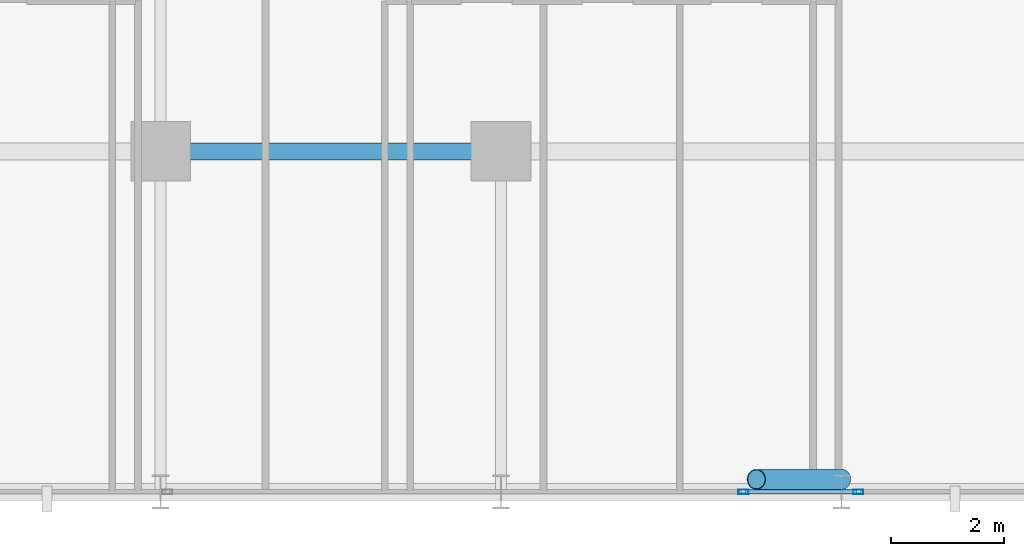
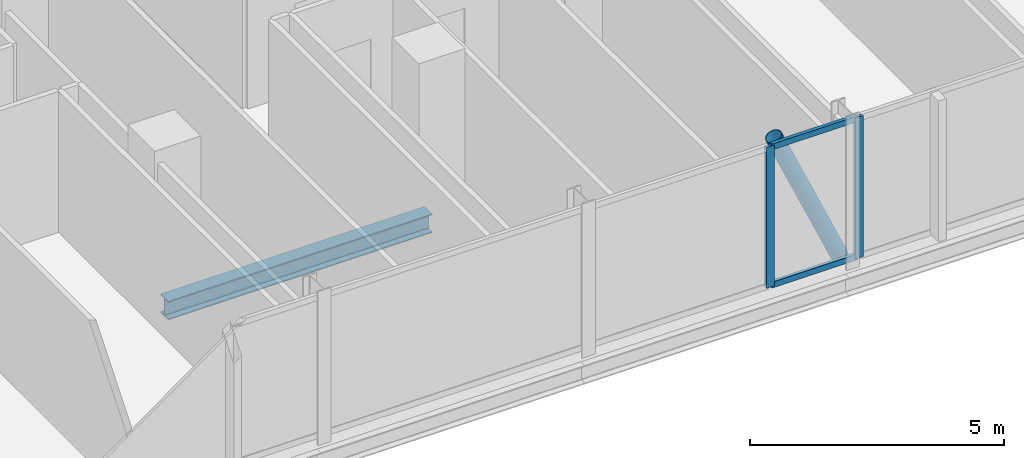
# One storey, part 8 of 29: 5 members, 1 beam, 2 elements without a shape of their own.
"""IFC4 building model written with IfcOpenShell, lengths in metres."""

from ifc_helpers import new_model, si_unit, direction, frame, origin, origin_2d, place, context, subcontext, project, spatial, hollow_rectangle, hollow_circle, i_section, extrude, material, layer, layer_set, material_profile, profile_set, type_object, element, aggregate, save


model = new_model("IFC4")

# Units and contexts
model_context = context("Model", 3, precision=1e-05, world=origin(), true_north=direction((0.0, 1.0)))
body_context = subcontext(model_context, "Body", "Model", "MODEL_VIEW")
ifc_project = project(units=[si_unit("LENGTHUNIT", "METRE"), si_unit("AREAUNIT", "SQUARE_METRE"), si_unit("VOLUMEUNIT", "CUBIC_METRE"), si_unit("PLANEANGLEUNIT", "RADIAN"), si_unit("MASSUNIT", "GRAM", prefix="KILO")], contexts=[model_context])

# Site, building, storey
site_placement = place(None, origin())
site = spatial("IfcSite", under=ifc_project, at=site_placement, CompositionType="ELEMENT")
building_placement = place(site_placement, origin())
building = spatial("IfcBuilding", under=site, at=building_placement, Name="Keshet Zoharim Tower", CompositionType="ELEMENT")
storey_placement = place(building_placement, frame((0.0, 0.0, 102.0)))
storey = spatial("IfcBuildingStorey", under=building, at=storey_placement, Name="L24", CompositionType="ELEMENT", Elevation=102.0)

# Beam
ifc_material_1 = material(Name="Steel S355", Category="steel")
ifc_material_profile_1 = material_profile(ifc_material_1, i_section(OverallWidth=0.300048828125, OverallDepth=0.449951171875, WebThickness=0.013916015625, FlangeThickness=0.02587890625, FilletRadius=0.027099609375, at=origin_2d()), Name="HEB450")
ifc_profile_set_1 = profile_set([ifc_material_profile_1], Name="Steel S355")
beam_type = type_object("IfcBeamType", Name="BM-WEB-HB450", PredefinedType="BEAM", material=ifc_profile_set_1)
beam_placement = place(storey_placement, frame((33.0, 6.699951171875, -0.5400390625), z_axis=(1.0, 0.0, 0.0), x_axis=(0.0, 1.0, 0.0)))
element("IfcBeam", 1, at=beam_placement, inside=storey, type_object=beam_type, Name="L24 Primary Girder X-007", PredefinedType="BEAM", context=body_context, shape_type="SweptSolid", body=[
    extrude(i_section(OverallWidth=0.300048828125, OverallDepth=0.449951171875, WebThickness=0.013916015625, FlangeThickness=0.02587890625, FilletRadius=0.027099609375, at=origin_2d()), origin(), (0.0, 0.0, 1.0), 6.0),
])

# Curtain wall, member
ifc_material_2 = material(Name="Aluminium 6063-T6", Category="aluminium")
ifc_layer = layer(ifc_material_2, 0.159912109375)
ifc_layer_set = layer_set([ifc_layer], Name="Aluminium 6063-T6")
curtain_wall_type = type_object("IfcCurtainWallType", Name="CW-SYS-03", PredefinedType="NOTDEFINED", material=ifc_layer_set)
curtain_wall_1_placement = place(storey_placement, origin())
curtain_wall_1 = element("IfcCurtainWall", 2, at=curtain_wall_1_placement, inside=storey, type_object=curtain_wall_type, Name="L24 Unitised Curtain Wall 03", PredefinedType="NOTDEFINED")
ifc_material_profile_2 = material_profile(ifc_material_2, hollow_rectangle(XDim=0.080078125, YDim=0.179931640625, WallThickness=0.00439453125, at=origin_2d()), Name="MUL-80x180")
ifc_profile_set_2 = profile_set([ifc_material_profile_2], Name="Aluminium 6063-T6")
member_type_1 = type_object("IfcMemberType", Name="CWM-M18", PredefinedType="MULLION", material=ifc_profile_set_2)
member_1_placement = place(storey_placement, frame((45.297607421875, 0.699951171875, 0.0), z_axis=(0.0, 0.0, 1.0), x_axis=(0.0, -1.0, 0.0)))
member_1 = element("IfcMember", 3, at=member_1_placement, type_object=member_type_1, Name="CW-03 mullion 2", PredefinedType="MULLION", context=body_context, shape_type="SweptSolid", body=[
    extrude(hollow_rectangle(XDim=0.080078125, YDim=0.179931640625, WallThickness=0.00439453125, at=origin_2d()), origin(), (0.0, 0.0, 1.0), 3.385009765625),
])
aggregate(curtain_wall_1, [member_1])

# Curtain wall, members
curtain_wall_2_placement = place(storey_placement, origin())
curtain_wall_2 = element("IfcCurtainWall", 4, at=curtain_wall_2_placement, inside=storey, type_object=curtain_wall_type, Name="L24 Unitised Curtain Wall 03 Part 2", PredefinedType="NOTDEFINED")
member_2_placement = place(storey_placement, frame((43.2724609375, 0.699951171875, 0.0), z_axis=(0.0, 0.0, 1.0), x_axis=(0.0, -1.0, 0.0)))
member_2 = element("IfcMember", 5, at=member_2_placement, type_object=member_type_1, Name="CW-03 mullion 2", PredefinedType="MULLION", context=body_context, shape_type="SweptSolid", body=[
    extrude(hollow_rectangle(XDim=0.080078125, YDim=0.179931640625, WallThickness=0.00439453125, at=origin_2d()), origin(), (0.0, 0.0, 1.0), 3.385009765625),
])
ifc_material_profile_3 = material_profile(ifc_material_2, hollow_rectangle(XDim=0.080078125, YDim=0.139892578125, WallThickness=0.00390625, at=origin_2d()), Name="TRN-80x140")
ifc_profile_set_3 = profile_set([ifc_material_profile_3], Name="Aluminium 6063-T6")
member_type_2 = type_object("IfcMemberType", Name="CWT-T14", PredefinedType="USERDEFINED", material=ifc_profile_set_3)
member_3_placement = place(storey_placement, frame((45.2626953125, 0.699951171875, 0.034912109375), z_axis=(-1.0, 0.0, 0.0), x_axis=(0.0, -1.0, 0.0)))
member_3 = element("IfcMember", 6, at=member_3_placement, type_object=member_type_2, Name="CW-03 transom 1.1", ObjectType="TRANSOM", PredefinedType="USERDEFINED", context=body_context, shape_type="SweptSolid", body=[
    extrude(hollow_rectangle(XDim=0.080078125, YDim=0.139892578125, WallThickness=0.00390625, at=origin_2d()), origin(), (0.0, 0.0, 1.0), 1.955322265625),
])
member_4_placement = place(storey_placement, frame((45.2626953125, 0.699951171875, 3.35009765625), z_axis=(-1.0, 0.0, 0.0), x_axis=(0.0, -1.0, 0.0)))
member_4 = element("IfcMember", 7, at=member_4_placement, type_object=member_type_2, Name="CW-03 transom 1.2", ObjectType="TRANSOM", PredefinedType="USERDEFINED", context=body_context, shape_type="SweptSolid", body=[
    extrude(hollow_rectangle(XDim=0.080078125, YDim=0.139892578125, WallThickness=0.00390625, at=origin_2d()), origin(), (0.0, 0.0, 1.0), 1.955322265625),
])
aggregate(curtain_wall_2, [member_2, member_3, member_4])

# Member
ifc_material_profile_4 = material_profile(ifc_material_1, hollow_circle(Radius=0.177734375, WallThickness=0.012451171875, at=origin_2d()), Name="CHS355x12.5")
ifc_profile_set_4 = profile_set([ifc_material_profile_4], Name="Steel S355")
member_type_3 = type_object("IfcMemberType", Name="MB-BR-C355", PredefinedType="BRACE", material=ifc_profile_set_4)
member_5_placement = place(storey_placement, frame((45.0, 0.919921875, 0.0), z_axis=(-0.405134846829, 0.0, 0.91425694194), x_axis=(0.0, -1.0, 0.0)))
element("IfcMember", 8, at=member_5_placement, inside=storey, type_object=member_type_3, Name="L24 Perimeter Tube Brace 04", PredefinedType="BRACE", context=body_context, shape_type="SweptSolid", body=[
    extrude(hollow_circle(Radius=0.177734375, WallThickness=0.012451171875, at=origin_2d()), origin(), (0.0, 0.0, 1.0), 3.702392578125),
])

save(model, "model.ifc")
